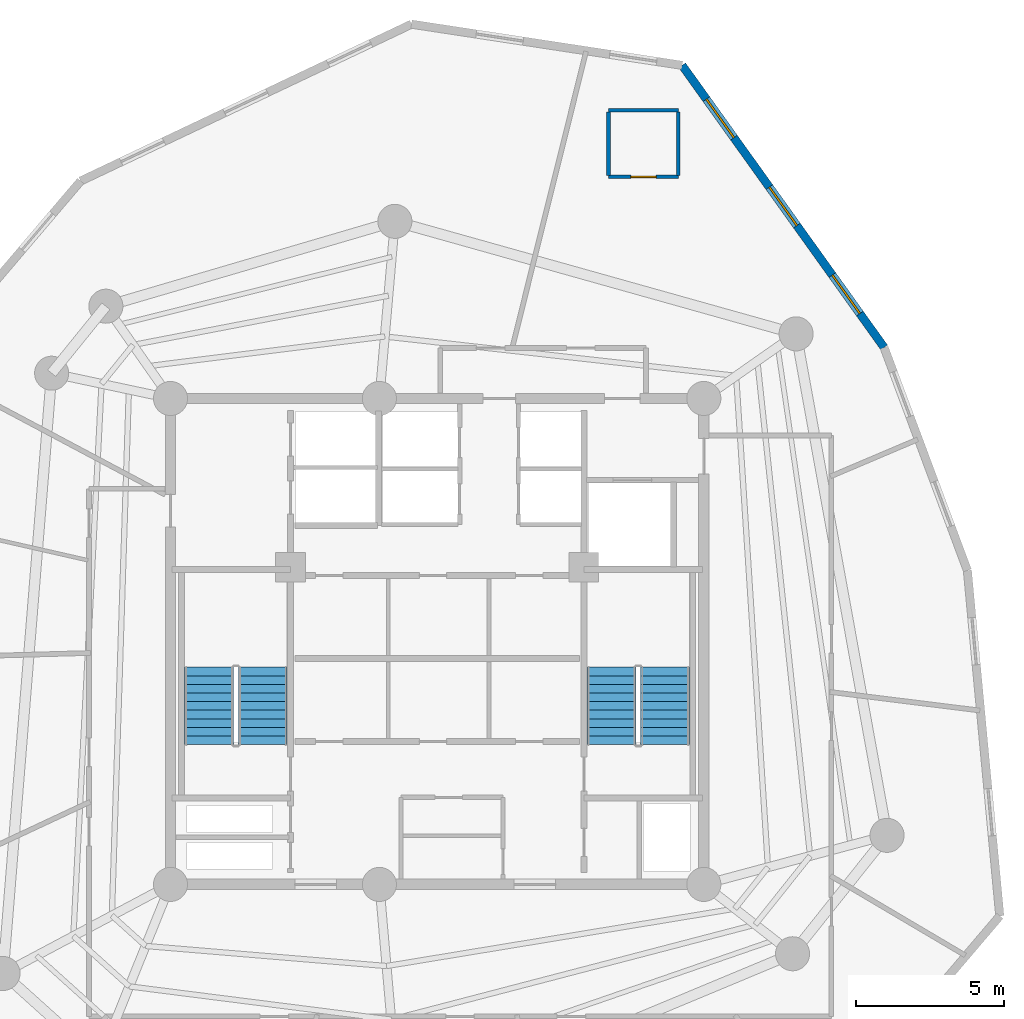
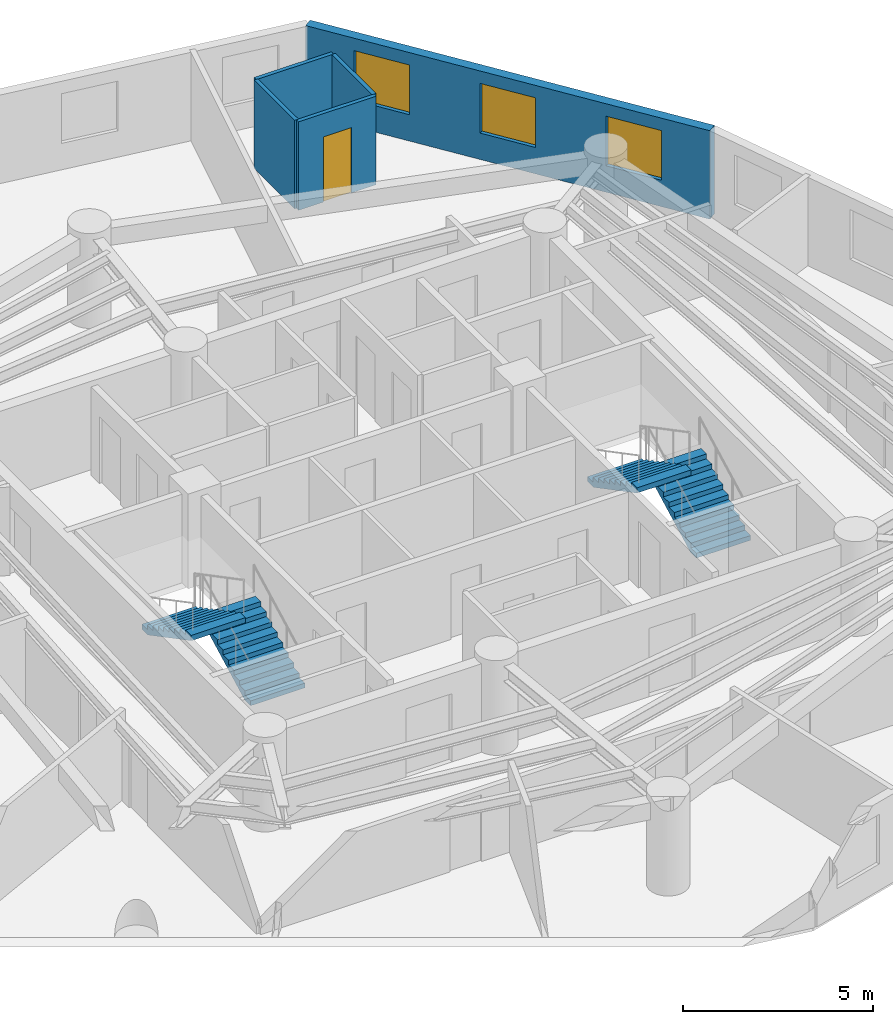
# One storey, part 6 of 7: 5 walls, 4 stair flights, 3 windows, 1 door, 4 openings, 2 elements without a shape of their own.
"""IFC4 building model written with IfcOpenShell, lengths in metres."""

import ifcopenshell
import ifcopenshell.guid

model = None  # the IFC model being written
_history = None  # IfcOwnerHistory: only IFC2X3 demands one
_inside = {}  # id of a spatial element -> (the spatial element, [elements in it])
_under = {}  # id of a project, library or spatial element -> (it, [spatial elements below it])
_declared = {}  # id of a project -> (the project, [libraries it declares])
_typed = {}  # id of a type object -> (the type object, [elements of that type])
_made_of = {}  # id of a material, layer set ... -> (it, [elements and type objects made of it])


def new_model(schema):
    """Start an empty IFC model of exactly this schema.

    Asked for "IFC4X3", IfcOpenShell would pick the latest addendum, in which some entities
    have other attributes; the version numbers below select the first issue.
    IFC2X3 requires an IfcOwnerHistory on every rooted entity: one is made here for all.
    """
    global model, _history
    if schema == "IFC4X3":
        model = ifcopenshell.file(schema_version=(4, 3, 0, 0))
    else:
        model = ifcopenshell.file(schema=schema)
    _inside.clear()
    _under.clear()
    _declared.clear()
    _typed.clear()
    _made_of.clear()
    _history = None
    if model.schema == "IFC2X3":
        org = make("IfcOrganization", Name="unknown")
        user = make(
            "IfcPersonAndOrganization",
            ThePerson=make("IfcPerson", FamilyName="unknown"),
            TheOrganization=org,
        )
        app = make(
            "IfcApplication",
            ApplicationDeveloper=org,
            Version="unknown",
            ApplicationFullName="unknown",
            ApplicationIdentifier="unknown",
        )
        _history = make(
            "IfcOwnerHistory",
            OwningUser=user,
            OwningApplication=app,
            ChangeAction="ADDED",
            CreationDate=0,
        )
    return model


def make(cls, **values):
    """One entity of the class cls with the attributes given. An attribute that is None is left unset."""
    return model.create_entity(
        cls, **{name: value for name, value in values.items() if value is not None}
    )


def rooted(cls, **values):
    """An entity with a GlobalId (a new one), such as an element, a storey or a relation."""
    return make(cls, GlobalId=ifcopenshell.guid.new(), OwnerHistory=_history, **values)


def si_unit(unit_type, name, prefix=None):
    """IfcSIUnit, for example si_unit("LENGTHUNIT", "METRE", prefix="MILLI")."""
    return make("IfcSIUnit", UnitType=unit_type, Prefix=prefix, Name=name)


def assignment(units):
    """IfcUnitAssignment: the units of a project."""
    return None if units is None else make("IfcUnitAssignment", Units=units)


def point(xyz):
    """IfcCartesianPoint."""
    return None if xyz is None else make("IfcCartesianPoint", Coordinates=xyz)


def direction(xyz):
    """IfcDirection."""
    return None if xyz is None else make("IfcDirection", DirectionRatios=xyz)


def frame(location, z_axis=None, x_axis=None):
    """IfcAxis2Placement3D, a coordinate frame: its origin and axes. An axis left out is left unset."""
    return make(
        "IfcAxis2Placement3D",
        Location=point(location),
        Axis=direction(z_axis),
        RefDirection=direction(x_axis),
    )


def frame_2d(location, x_axis=None):
    """IfcAxis2Placement2D, a coordinate frame in the plane: its origin and x axis."""
    return make(
        "IfcAxis2Placement2D", Location=point(location), RefDirection=direction(x_axis)
    )


def origin():
    """The frame at (0, 0, 0) with its axes left unset."""
    return frame((0.0, 0.0, 0.0))


def origin_with_axes():
    """The frame at (0, 0, 0) with the z axis (0, 0, 1) and the x axis (1, 0, 0) written out."""
    return frame((0.0, 0.0, 0.0), z_axis=(0.0, 0.0, 1.0), x_axis=(1.0, 0.0, 0.0))


def place(relative_to, where):
    """IfcLocalPlacement: puts the frame where relative to a parent placement (None: the world)."""
    return make(
        "IfcLocalPlacement", PlacementRelTo=relative_to, RelativePlacement=where
    )


def context(
    kind, dimensions, precision=None, world=None, true_north=None, identifier=None
):
    """IfcGeometricRepresentationContext, for example the 3D "Model" context."""
    return make(
        "IfcGeometricRepresentationContext",
        ContextIdentifier=identifier,
        ContextType=kind,
        CoordinateSpaceDimension=dimensions,
        Precision=precision,
        WorldCoordinateSystem=world,
        TrueNorth=true_north,
    )


def subcontext(parent, identifier, kind, view, scale=None):
    """IfcGeometricRepresentationSubContext, for example "Body" below "Model"."""
    return make(
        "IfcGeometricRepresentationSubContext",
        ContextIdentifier=identifier,
        ContextType=kind,
        ParentContext=parent,
        TargetScale=scale,
        TargetView=view,
    )


def project(units=None, contexts=None):
    """IfcProject with its units and contexts."""
    return rooted(
        "IfcProject",
        Name="project",
        RepresentationContexts=contexts,
        UnitsInContext=assignment(units),
    )


def spatial(cls, under=None, at=None, **own):
    """A site, building, storey or space (cls), placed at a placement, below another one or the project."""
    s = rooted(cls, ObjectPlacement=at, **own)
    if under is not None:
        _under.setdefault(under.id(), (under, []))[1].append(s)
    return s


def polyline(points):
    """IfcPolyline through the points."""
    return make("IfcPolyline", Points=[point(p) for p in points])


def profile(cls, at=None, kind="AREA", **sizes):
    """A parametric profile (cls). Its sizes go by their IFC names, for example OverallWidth=200.0."""
    return make(cls, ProfileType=kind, Position=at, **sizes)


def rectangle(**sizes):
    """IfcRectangleProfileDef."""
    return profile("IfcRectangleProfileDef", **sizes)


def outline(outer, holes=None, kind="AREA"):
    """IfcArbitraryClosedProfileDef: a profile drawn as a closed curve; with holes, ...WithVoids."""
    if holes is None:
        return make("IfcArbitraryClosedProfileDef", ProfileType=kind, OuterCurve=outer)
    return make(
        "IfcArbitraryProfileDefWithVoids",
        ProfileType=kind,
        OuterCurve=outer,
        InnerCurves=holes,
    )


def extrude(swept, where, along, depth):
    """IfcExtrudedAreaSolid: the profile swept, set in the frame where, extruded along a direction by depth."""
    return make(
        "IfcExtrudedAreaSolid",
        SweptArea=swept,
        Position=where,
        ExtrudedDirection=direction(along),
        Depth=depth,
    )


def shape(context_of_items, identifier, shape_type, items):
    """IfcShapeRepresentation: the items that make up one representation, for example the "Body"."""
    return make(
        "IfcShapeRepresentation",
        ContextOfItems=context_of_items,
        RepresentationIdentifier=identifier,
        RepresentationType=shape_type,
        Items=items,
    )


def source(mapping_origin, context_of_items, identifier, shape_type, items):
    """IfcRepresentationMap: a shape defined once, which mapped items show again and again."""
    return make(
        "IfcRepresentationMap",
        MappingOrigin=mapping_origin,
        MappedRepresentation=shape(context_of_items, identifier, shape_type, items),
    )


def transform(
    local_origin,
    x_axis=None,
    y_axis=None,
    z_axis=None,
    scale=None,
    scale2=None,
    scale3=None,
    uniform=True,
):
    """IfcCartesianTransformationOperator3D, or its non-uniform kind. x_axis, y_axis, z_axis: its Axis1, 2, 3."""
    if uniform:
        return make(
            "IfcCartesianTransformationOperator3D",
            Axis1=direction(x_axis),
            Axis2=direction(y_axis),
            LocalOrigin=point(local_origin),
            Scale=scale,
            Axis3=direction(z_axis),
        )
    return make(
        "IfcCartesianTransformationOperator3DnonUniform",
        Axis1=direction(x_axis),
        Axis2=direction(y_axis),
        LocalOrigin=point(local_origin),
        Scale=scale,
        Axis3=direction(z_axis),
        Scale2=scale2,
        Scale3=scale3,
    )


def mapped(mapping_source, mapping_target):
    """IfcMappedItem: shows the shape of a source again, moved by a transform."""
    return make(
        "IfcMappedItem", MappingSource=mapping_source, MappingTarget=mapping_target
    )


def material(Name=None, Category=None):
    """IfcMaterial."""
    return make("IfcMaterial", Name=Name, Category=Category)


def layer(
    of_material, thickness, ventilated=None, Name=None, Category=None, Priority=None
):
    """IfcMaterialLayer: one layer of a wall or slab, of a material (None: an air gap)."""
    return make(
        "IfcMaterialLayer",
        Material=of_material,
        LayerThickness=thickness,
        IsVentilated=ventilated,
        Name=Name,
        Category=Category,
        Priority=Priority,
    )


def layer_set(layers, Name=None):
    """IfcMaterialLayerSet."""
    return make("IfcMaterialLayerSet", MaterialLayers=layers, LayerSetName=Name)


def made_of(thing, what):
    """Note that an element or type object is made of a material, layer set ...; save() writes the relation."""
    if what is not None:
        _made_of.setdefault(what.id(), (what, []))[1].append(thing)
    return thing


def type_object(cls, material=None, **own):
    """A type object (cls), such as IfcWallType, which elements share."""
    return made_of(rooted(cls, **own), material)


def element(
    cls,
    number,
    at=None,
    inside=None,
    cuts=None,
    type_object=None,
    material=None,
    context=None,
    identifier="Body",
    shape_type=None,
    held_by="IfcProductDefinitionShape",
    body=None,
    shapes=None,
    **own,
):
    """One element of the class cls, such as IfcWall. Its Tag is "e" and its number.

    at: its placement. inside: the storey or other place that contains it. cuts: it is an
    opening in that element (IfcRelVoidsElement). A single representation is given by context,
    identifier, shape_type and body (its items); several are given by shapes. held_by: the class
    of the entity that holds the representations. save() writes the other relations.
    """
    e = rooted(cls, Tag="e%d" % number, ObjectPlacement=at, **own)
    if body is not None:
        shapes = [shape(context, identifier, shape_type, body)]
    if shapes is not None:
        e.Representation = make(held_by, Representations=shapes)
    if inside is not None:
        _inside.setdefault(inside.id(), (inside, []))[1].append(e)
    if cuts is not None:
        rooted(
            "IfcRelVoidsElement", RelatingBuildingElement=cuts, RelatedOpeningElement=e
        )
    if type_object is not None:
        _typed.setdefault(type_object.id(), (type_object, []))[1].append(e)
    return made_of(e, material)


def fill(opening, filler):
    """IfcRelFillsElement: the door or window that sits in an opening."""
    return rooted(
        "IfcRelFillsElement",
        RelatingOpeningElement=opening,
        RelatedBuildingElement=filler,
    )


def aggregate(whole, parts):
    """IfcRelAggregates: a whole, such as a stair, and the parts it consists of."""
    return rooted("IfcRelAggregates", RelatingObject=whole, RelatedObjects=parts)


def save(model, path):
    """Write the relations noted so far, then the file.

    IfcRelAggregates (storeys below a building ...), IfcRelContainedInSpatialStructure (elements
    in a storey), IfcRelDefinesByType, IfcRelAssociatesMaterial and IfcRelDeclares: one each for
    every whole, place, type object, material and project.
    """
    for whole, parts in _under.values():
        aggregate(whole, parts)
    for where, things in _inside.values():
        rooted(
            "IfcRelContainedInSpatialStructure",
            RelatedElements=things,
            RelatingStructure=where,
        )
    for kind, things in _typed.values():
        rooted("IfcRelDefinesByType", RelatedObjects=things, RelatingType=kind)
    for what, things in _made_of.values():
        rooted("IfcRelAssociatesMaterial", RelatedObjects=things, RelatingMaterial=what)
    for by, libraries in _declared.values():
        rooted("IfcRelDeclares", RelatingContext=by, RelatedDefinitions=libraries)
    model.write(path)


model = new_model("IFC4")

# Units and contexts
model_context = context("Model", 3, precision=1e-05, world=origin(), true_north=direction((0.0, 1.0)))
body_context = subcontext(model_context, "Body", "Model", "MODEL_VIEW")
ifc_project = project(units=[si_unit("LENGTHUNIT", "METRE"), si_unit("AREAUNIT", "SQUARE_METRE"), si_unit("VOLUMEUNIT", "CUBIC_METRE"), si_unit("PLANEANGLEUNIT", "RADIAN"), si_unit("MASSUNIT", "GRAM", prefix="KILO")], contexts=[model_context])

# Site, building, storey
site_placement = place(None, origin())
site = spatial("IfcSite", under=ifc_project, at=site_placement, CompositionType="ELEMENT")
building_placement = place(site_placement, origin())
building = spatial("IfcBuilding", under=site, at=building_placement, Name="Karkom Vertical University and Central Library", CompositionType="ELEMENT")
storey_placement = place(building_placement, frame((0.0, 0.0, 238.25)))
storey = spatial("IfcBuildingStorey", under=building, at=storey_placement, Name="L70", CompositionType="ELEMENT", Elevation=238.25)

# Wall, openings, windows
ifc_material_1 = material(Name="Brick-faced precast concrete C45/55", Category="masonry")
ifc_layer_1 = layer(ifc_material_1, 0.280029296875)
ifc_layer_set_1 = layer_set([ifc_layer_1], Name="Brick-faced precast concrete C45/55")
wall_type_1 = type_object("IfcWallType", Name="ENV-WL-BRK-280", PredefinedType="SOLIDWALL", material=ifc_layer_set_1)
wall_1_placement = place(storey_placement, frame((43.585693359375, 36.42138671875, 0.0), z_axis=(0.0, 0.0, 1.0), x_axis=(-0.582142908701, 0.813086486082, 0.0)))
wall_1 = element("IfcWall", 1, at=wall_1_placement, inside=storey, type_object=wall_type_1, Name="Level 70 Brick-Faced Precast Facade Wall 08", PredefinedType="SOLIDWALL", context=body_context, shape_type="SweptSolid", body=[
    extrude(rectangle(XDim=11.712158203125, YDim=0.280029296875, at=frame_2d((5.85595703125, 0.0))), origin(), (0.0, 0.0, 1.0), 2.85009765625),
])
opening_1_placement = place(wall_1_placement, frame((1.405517578125, 0.0, 0.85009765625)))
opening_1 = element("IfcOpeningElement", 2, at=opening_1_placement, cuts=wall_1, Name="Opening WN-10", PredefinedType="OPENING", context=body_context, shape_type="SweptSolid", body=[
    extrude(rectangle(XDim=1.60009765625, YDim=1.60009765625, at=frame_2d((0.800048828125, 0.800048828125))), frame((0.0, 0.14990234375, 0.0), z_axis=(0.0, -1.0, 0.0), x_axis=(1.0, 0.0, 0.0)), (0.0, 0.0, 1.0), 0.300048828125),
])
opening_2_placement = place(wall_1_placement, frame((5.05615234375, 0.0, 0.85009765625)))
opening_2 = element("IfcOpeningElement", 3, at=opening_2_placement, cuts=wall_1, Name="Opening WN-10", PredefinedType="OPENING", context=body_context, shape_type="SweptSolid", body=[
    extrude(rectangle(XDim=1.60009765625, YDim=1.60009765625, at=frame_2d((0.800048828125, 0.800048828125))), frame((0.0, 0.14990234375, 0.0), z_axis=(0.0, -1.0, 0.0), x_axis=(1.0, 0.0, 0.0)), (0.0, 0.0, 1.0), 0.300048828125),
])
opening_3_placement = place(wall_1_placement, frame((8.706787109375, 0.0, 0.85009765625)))
opening_3 = element("IfcOpeningElement", 4, at=opening_3_placement, cuts=wall_1, Name="Opening WN-10", PredefinedType="OPENING", context=body_context, shape_type="SweptSolid", body=[
    extrude(rectangle(XDim=1.60009765625, YDim=1.60009765625, at=frame_2d((0.800048828125, 0.800048828125))), frame((0.0, 0.14990234375, 0.0), z_axis=(0.0, -1.0, 0.0), x_axis=(1.0, 0.0, 0.0)), (0.0, 0.0, 1.0), 0.300048828125),
])
ifc_material_2 = material(Name="Aluminium thermal-break frame with solar-control IGU", Category="aluminium")
window_type = type_object("IfcWindowType", Name="ENV-WIN-WN-10", PartitioningType="SINGLE_PANEL", PredefinedType="WINDOW", material=ifc_material_2)
shared_shape_1 = source(origin_with_axes(), body_context, "Body", "SweptSolid", [
    extrude(rectangle(XDim=1.60009765625, YDim=1.60009765625, at=frame_2d((0.800048828125, 0.800048828125))), frame((0.0, 0.030029296875, 0.0), z_axis=(0.0, -1.0, 0.0), x_axis=(1.0, 0.0, 0.0)), (0.0, 0.0, 1.0), 0.06005859375),
])
window_1_placement = place(opening_1_placement, origin())
window_1 = element("IfcWindow", 5, at=window_1_placement, inside=storey, type_object=window_type, Name="Level 70 Punched Window 8.1", OverallHeight=1.60009765625, OverallWidth=1.60009765625, PartitioningType="SINGLE_PANEL", PredefinedType="WINDOW", context=body_context, shape_type="MappedRepresentation", body=[
    mapped(shared_shape_1, transform((0.0, 0.0, 0.0), scale=1.0)),
])
fill(opening_1, window_1)
window_2_placement = place(opening_2_placement, origin())
window_2 = element("IfcWindow", 6, at=window_2_placement, inside=storey, type_object=window_type, Name="Level 70 Punched Window 8.2", OverallHeight=1.60009765625, OverallWidth=1.60009765625, PartitioningType="SINGLE_PANEL", PredefinedType="WINDOW", context=body_context, shape_type="MappedRepresentation", body=[
    mapped(shared_shape_1, transform((0.0, 0.0, 0.0), scale=1.0)),
])
fill(opening_2, window_2)
window_3_placement = place(opening_3_placement, origin())
window_3 = element("IfcWindow", 7, at=window_3_placement, inside=storey, type_object=window_type, Name="Level 70 Punched Window 8.3", OverallHeight=1.60009765625, OverallWidth=1.60009765625, PartitioningType="SINGLE_PANEL", PredefinedType="WINDOW", context=body_context, shape_type="MappedRepresentation", body=[
    mapped(shared_shape_1, transform((0.0, 0.0, 0.0), scale=1.0)),
])
fill(opening_3, window_3)

# Wall, opening, door
ifc_material_3 = material(Name="Moisture-resistant drywall 120mm", Category="gypsum")
ifc_layer_2 = layer(ifc_material_3, 0.1201171875)
ifc_layer_set_2 = layer_set([ifc_layer_2], Name="Moisture-resistant drywall 120mm")
wall_type_2 = type_object("IfcWallType", Name="INT-WL-INT-120F", PredefinedType="PARTITIONING", material=ifc_layer_set_2)
wall_2_placement = place(storey_placement, frame((34.282958984375, 42.180908203125, 0.0), z_axis=(0.0, 0.0, 1.0), x_axis=(1.0, 0.0, 0.0)))
wall_2 = element("IfcWall", 8, at=wall_2_placement, inside=storey, type_object=wall_type_2, Name="Level 70 Interior Partition Wall L70-ENS-48-S", PredefinedType="PARTITIONING", context=body_context, shape_type="SweptSolid", body=[
    extrude(rectangle(XDim=2.360107421875, YDim=0.1201171875, at=frame_2d((1.18017578125, 0.0))), origin(), (0.0, 0.0, 1.0), 2.85009765625),
])
opening_4_placement = place(wall_2_placement, frame((0.75, 0.0, 0.0)))
opening_4 = element("IfcOpeningElement", 9, at=opening_4_placement, cuts=wall_2, Name="Opening D-BATH", PredefinedType="OPENING", context=body_context, shape_type="SweptSolid", body=[
    extrude(rectangle(XDim=0.860107421875, YDim=2.10009765625, at=frame_2d((0.43017578125, 1.050048828125))), frame((0.0, 0.070068359375, 0.0), z_axis=(0.0, -1.0, 0.0), x_axis=(1.0, 0.0, 0.0)), (0.0, 0.0, 1.0), 0.14013671875),
])
ifc_material_4 = material(Name="Moisture-resistant oak door", Category="wood")
door_type = type_object("IfcDoorType", Name="INT-DR-BATH", OperationType="NOTDEFINED", PredefinedType="DOOR", material=ifc_material_4)
shared_shape_2 = source(origin_with_axes(), body_context, "Body", "SweptSolid", [
    extrude(rectangle(XDim=0.860107421875, YDim=2.10009765625, at=frame_2d((0.43017578125, 1.050048828125))), frame((0.0, 0.02490234375, 0.0), z_axis=(0.0, -1.0, 0.0), x_axis=(1.0, 0.0, 0.0)), (0.0, 0.0, 1.0), 0.050048828125),
])
door_placement = place(opening_4_placement, origin())
door = element("IfcDoor", 10, at=door_placement, inside=storey, type_object=door_type, Name="Level 70 En-Suite Bathroom Door 48", OperationType="SINGLE_SWING_RIGHT", OverallHeight=2.10009765625, OverallWidth=0.860107421875, PredefinedType="DOOR", context=body_context, shape_type="MappedRepresentation", body=[
    mapped(shared_shape_2, transform((0.0, 0.0, 0.0), scale=1.0)),
])
fill(opening_4, door)

# Walls
wall_3_placement = place(storey_placement, frame((36.64306640625, 44.4208984375, 0.0), z_axis=(0.0, 0.0, 1.0), x_axis=(-1.0, 0.0, 0.0)))
element("IfcWall", 11, at=wall_3_placement, inside=storey, type_object=wall_type_2, Name="Level 70 Interior Partition Wall L70-ENS-48-N", PredefinedType="PARTITIONING", context=body_context, shape_type="SweptSolid", body=[
    extrude(rectangle(XDim=2.360107421875, YDim=0.1201171875, at=frame_2d((1.18017578125, 0.0))), origin(), (0.0, 0.0, 1.0), 2.85009765625),
])
for number, where, z_axis, x_axis, name in (
    (12, (36.64306640625, 42.23095703125, 0.0), (0.0, 0.0, 1.0), (0.0, 1.0, 0.0), "Level 70 Interior Partition Wall L70-ENS-48-E"),
    (13, (34.282958984375, 44.37109375, 0.0), (0.0, 0.0, 1.0), (0.0, -1.0, 0.0), "Level 70 Interior Partition Wall L70-ENS-48-W"),
):
    element("IfcWall", number, at=place(storey_placement, frame(where, z_axis=z_axis, x_axis=x_axis)), inside=storey, type_object=wall_type_2, Name=name, PredefinedType="PARTITIONING", context=body_context, shape_type="SweptSolid", body=[
        extrude(rectangle(XDim=2.14013671875, YDim=0.1201171875, at=frame_2d((1.070068359375, 0.0))), origin(), (0.0, 0.0, 1.0), 2.85009765625),
    ])

# Stair, stair flights
ifc_material_5 = material(Name="Concrete C45/55", Category="concrete")
stair_type = type_object("IfcStairType", Name="INT-STR-ST-MAIN", PredefinedType="HALF_TURN_STAIR", material=ifc_material_5)
stair_1_placement = place(storey_placement, origin())
stair_1 = element("IfcStair", 14, at=stair_1_placement, inside=storey, type_object=stair_type, Name="Level 70 Tower Protected Exit Stair ST-1", PredefinedType="HALF_TURN_STAIR")
stair_flight_type = type_object("IfcStairFlightType", Name="INT-SFL-ST-MAIN", PredefinedType="STRAIGHT", material=ifc_material_5)
stair_flight_1_placement = place(storey_placement, frame((22.614990234375, 23.02001953125, 0.0), z_axis=(0.0, 0.0, 1.0), x_axis=(0.0, 1.0, 0.0)))
stair_flight_1 = element("IfcStairFlight", 15, at=stair_flight_1_placement, type_object=stair_flight_type, Name="ST-1 flight 1", NumberOfRisers=10, NumberOfTreads=9, PredefinedType="STRAIGHT", RiserHeight=0.1525, TreadLength=0.29, context=body_context, shape_type="SweptSolid", body=[
    extrude(outline(polyline([(0.0, 0.0), (0.0, 0.152587890625), (0.2900390625, 0.152587890625), (0.2900390625, 0.304931640625), (0.580078125, 0.304931640625), (0.580078125, 0.45751953125), (0.8701171875, 0.45751953125), (0.8701171875, 0.610107421875), (1.159912109375, 0.610107421875), (1.159912109375, 0.762451171875), (1.449951171875, 0.762451171875), (1.449951171875, 0.9150390625), (1.739990234375, 0.9150390625), (1.739990234375, 1.0673828125), (2.030029296875, 1.0673828125), (2.030029296875, 1.219970703125), (2.320068359375, 1.219970703125), (2.320068359375, 1.37255859375), (2.610107421875, 1.37255859375), (2.610107421875, 1.52490234375), (2.610107421875, 1.203125), (0.322021484375, 0.0), (0.0, 0.0)])), frame((0.0, 0.824951171875, 0.0), z_axis=(0.0, -1.0, 0.0), x_axis=(1.0, 0.0, 0.0)), (0.0, 0.0, 1.0), 1.64990234375),
])
stair_flight_2_placement = place(storey_placement, frame((20.804931640625, 25.6298828125, 1.52490234375), z_axis=(0.0, 0.0, 1.0), x_axis=(0.0, -1.0, 0.0)))
stair_flight_2 = element("IfcStairFlight", 16, at=stair_flight_2_placement, type_object=stair_flight_type, Name="ST-1 flight 2", NumberOfRisers=10, NumberOfTreads=9, PredefinedType="STRAIGHT", RiserHeight=0.1525, TreadLength=0.29, context=body_context, shape_type="SweptSolid", body=[
    extrude(outline(polyline([(0.0, 0.0), (0.0, 0.152587890625), (0.2900390625, 0.152587890625), (0.2900390625, 0.304931640625), (0.580078125, 0.304931640625), (0.580078125, 0.45751953125), (0.8701171875, 0.45751953125), (0.8701171875, 0.610107421875), (1.159912109375, 0.610107421875), (1.159912109375, 0.762451171875), (1.449951171875, 0.762451171875), (1.449951171875, 0.9150390625), (1.739990234375, 0.9150390625), (1.739990234375, 1.0673828125), (2.030029296875, 1.0673828125), (2.030029296875, 1.219970703125), (2.320068359375, 1.219970703125), (2.320068359375, 1.37255859375), (2.610107421875, 1.37255859375), (2.610107421875, 1.52490234375), (2.610107421875, 1.203125), (0.322021484375, 0.0), (0.0, 0.0)])), frame((0.0, 0.824951171875, 0.0), z_axis=(0.0, -1.0, 0.0), x_axis=(1.0, 0.0, 0.0)), (0.0, 0.0, 1.0), 1.64990234375),
])
aggregate(stair_1, [stair_flight_1, stair_flight_2])

stair_2_placement = place(storey_placement, origin())
stair_2 = element("IfcStair", 17, at=stair_2_placement, inside=storey, type_object=stair_type, Name="Level 70 Tower Protected Exit Stair ST-2", PredefinedType="HALF_TURN_STAIR")
stair_flight_3_placement = place(storey_placement, frame((36.195068359375, 23.02001953125, 0.0), z_axis=(0.0, 0.0, 1.0), x_axis=(0.0, 1.0, 0.0)))
stair_flight_3 = element("IfcStairFlight", 18, at=stair_flight_3_placement, type_object=stair_flight_type, Name="ST-2 flight 1", NumberOfRisers=10, NumberOfTreads=9, PredefinedType="STRAIGHT", RiserHeight=0.1525, TreadLength=0.29, context=body_context, shape_type="SweptSolid", body=[
    extrude(outline(polyline([(0.0, 0.0), (0.0, 0.152587890625), (0.2900390625, 0.152587890625), (0.2900390625, 0.304931640625), (0.580078125, 0.304931640625), (0.580078125, 0.45751953125), (0.8701171875, 0.45751953125), (0.8701171875, 0.610107421875), (1.159912109375, 0.610107421875), (1.159912109375, 0.762451171875), (1.449951171875, 0.762451171875), (1.449951171875, 0.9150390625), (1.739990234375, 0.9150390625), (1.739990234375, 1.0673828125), (2.030029296875, 1.0673828125), (2.030029296875, 1.219970703125), (2.320068359375, 1.219970703125), (2.320068359375, 1.37255859375), (2.610107421875, 1.37255859375), (2.610107421875, 1.52490234375), (2.610107421875, 1.203125), (0.322021484375, 0.0), (0.0, 0.0)])), frame((0.0, 0.824951171875, 0.0), z_axis=(0.0, -1.0, 0.0), x_axis=(1.0, 0.0, 0.0)), (0.0, 0.0, 1.0), 1.64990234375),
])
stair_flight_4_placement = place(storey_placement, frame((34.385009765625, 25.6298828125, 1.52490234375), z_axis=(0.0, 0.0, 1.0), x_axis=(0.0, -1.0, 0.0)))
stair_flight_4 = element("IfcStairFlight", 19, at=stair_flight_4_placement, type_object=stair_flight_type, Name="ST-2 flight 2", NumberOfRisers=10, NumberOfTreads=9, PredefinedType="STRAIGHT", RiserHeight=0.1525, TreadLength=0.29, context=body_context, shape_type="SweptSolid", body=[
    extrude(outline(polyline([(0.0, 0.0), (0.0, 0.152587890625), (0.2900390625, 0.152587890625), (0.2900390625, 0.304931640625), (0.580078125, 0.304931640625), (0.580078125, 0.45751953125), (0.8701171875, 0.45751953125), (0.8701171875, 0.610107421875), (1.159912109375, 0.610107421875), (1.159912109375, 0.762451171875), (1.449951171875, 0.762451171875), (1.449951171875, 0.9150390625), (1.739990234375, 0.9150390625), (1.739990234375, 1.0673828125), (2.030029296875, 1.0673828125), (2.030029296875, 1.219970703125), (2.320068359375, 1.219970703125), (2.320068359375, 1.37255859375), (2.610107421875, 1.37255859375), (2.610107421875, 1.52490234375), (2.610107421875, 1.203125), (0.322021484375, 0.0), (0.0, 0.0)])), frame((0.0, 0.824951171875, 0.0), z_axis=(0.0, -1.0, 0.0), x_axis=(1.0, 0.0, 0.0)), (0.0, 0.0, 1.0), 1.64990234375),
])
aggregate(stair_2, [stair_flight_3, stair_flight_4])

save(model, "model.ifc")
